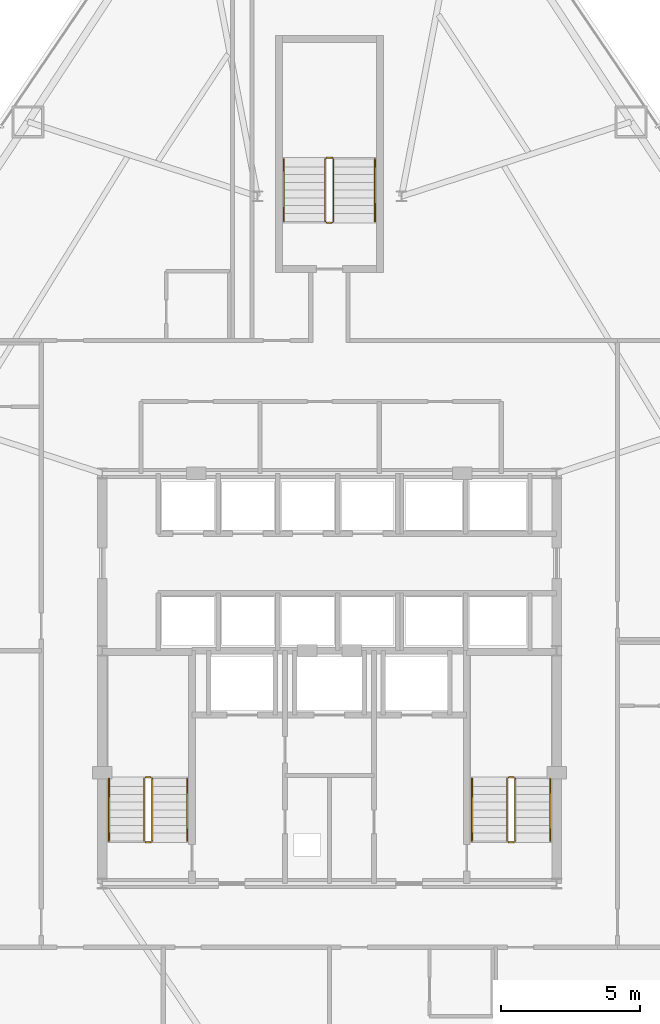
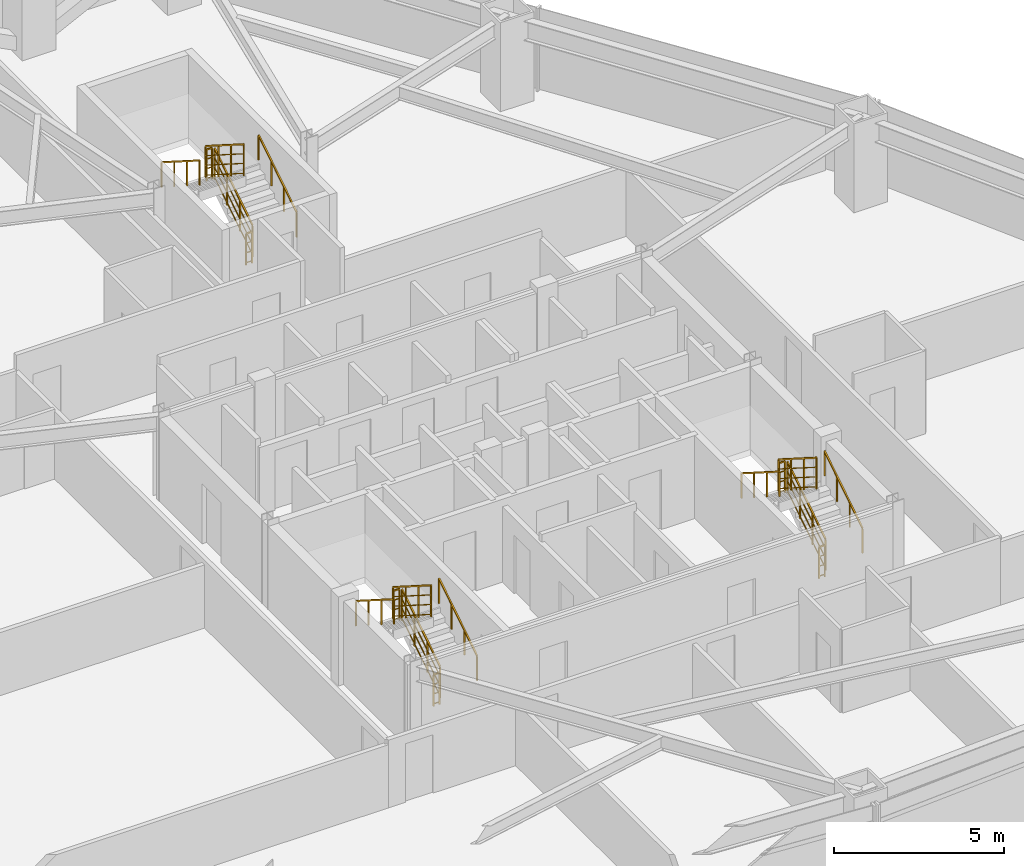
# One storey, part 12 of 12: 18 railings.
"""IFC4 building model written with IfcOpenShell, lengths in metres."""

from ifc_helpers import new_model, si_unit, direction, frame, origin, origin_2d, place, context, subcontext, project, spatial, rectangle, extrude, material, type_object, element, save


model = new_model("IFC4")

# Units and contexts
model_context = context("Model", 3, precision=1e-05, world=origin(), true_north=direction((0.0, 1.0)))
body_context = subcontext(model_context, "Body", "Model", "MODEL_VIEW")
ifc_project = project(units=[si_unit("LENGTHUNIT", "METRE"), si_unit("AREAUNIT", "SQUARE_METRE"), si_unit("VOLUMEUNIT", "CUBIC_METRE"), si_unit("PLANEANGLEUNIT", "RADIAN"), si_unit("MASSUNIT", "GRAM", prefix="KILO")], contexts=[model_context])

# Site, building, storey
site_placement = place(None, origin())
site = spatial("IfcSite", under=ifc_project, at=site_placement, CompositionType="ELEMENT")
building_placement = place(site_placement, origin())
building = spatial("IfcBuilding", under=site, at=building_placement, Name="Varakhsha Concourse Tower", CompositionType="ELEMENT")
storey_placement = place(building_placement, frame((0.0, 0.0, 56.0)))
storey = spatial("IfcBuildingStorey", under=building, at=storey_placement, Name="L15", CompositionType="ELEMENT", Elevation=56.0)

# Railings
ifc_material = material(Name="Brushed Austenitic Stainless Steel AISI 316", Category="steel")
railing_type_1 = type_object("IfcRailingType", Name="RL-STAIR-GUARD-1100", PredefinedType="GUARDRAIL", material=ifc_material)
railing_1_placement = place(storey_placement, frame((33.610107421875, 17.93994140625, 0.177734375)))
element("IfcRailing", 1, at=railing_1_placement, inside=storey, type_object=railing_type_1, Name="L15 ST1 stair guard 1", PredefinedType="GUARDRAIL", context=body_context, shape_type="SweptSolid", body=[
    extrude(rectangle(XDim=0.048095703125, YDim=0.048095703125, at=origin_2d()), frame((0.0, 0.0, 1.1259765625), z_axis=(0.0, 0.84418770128, 0.536047689118), x_axis=(-1.0, 0.0, 0.0)), (0.0, 0.0, 1.0), 2.6533203125),
    extrude(rectangle(XDim=0.028076171875, YDim=0.028076171875, at=origin_2d()), frame((0.0, 0.0, 0.080078125), z_axis=(0.0, 0.84418770128, 0.536047689118), x_axis=(-1.0, 0.0, 0.0)), (0.0, 0.0, 1.0), 2.6533203125),
    extrude(rectangle(XDim=0.028076171875, YDim=0.028076171875, at=origin_2d()), frame((0.0, 0.0, 0.43701171875), z_axis=(0.0, 0.84418770128, 0.536047689118), x_axis=(-1.0, 0.0, 0.0)), (0.0, 0.0, 1.0), 2.6533203125),
    extrude(rectangle(XDim=0.028076171875, YDim=0.028076171875, at=origin_2d()), frame((0.0, 0.0, 0.781982421875), z_axis=(0.0, 0.84418770128, 0.536047689118), x_axis=(-1.0, 0.0, 0.0)), (0.0, 0.0, 1.0), 2.6533203125),
    extrude(rectangle(XDim=0.0419921875, YDim=0.0419921875, at=origin_2d()), origin(), (0.0, 0.0, 1.0), 1.101806640625),
    extrude(rectangle(XDim=0.0419921875, YDim=0.0419921875, at=origin_2d()), frame((0.0, 0.74658203125, 0.47412109375)), (0.0, 0.0, 1.0), 1.101806640625),
    extrude(rectangle(XDim=0.0419921875, YDim=0.0419921875, at=origin_2d()), frame((0.0, 1.493408203125, 0.9482421875)), (0.0, 0.0, 1.0), 1.101806640625),
    extrude(rectangle(XDim=0.0419921875, YDim=0.0419921875, at=origin_2d()), frame((0.0, 2.239990234375, 1.42236328125)), (0.0, 0.0, 1.0), 1.101806640625),
])
railing_2_placement = place(storey_placement, frame((33.56005859375, 20.22998046875, 1.60009765625)))
element("IfcRailing", 2, at=railing_2_placement, inside=storey, type_object=railing_type_1, Name="L15 ST1 stair guard 2", PredefinedType="GUARDRAIL", context=body_context, shape_type="SweptSolid", body=[
    extrude(rectangle(XDim=0.048095703125, YDim=0.048095703125, at=origin_2d()), frame((0.0, 0.0, 1.1259765625), z_axis=(-1.0, 0.0, 0.0), x_axis=(0.0, -1.0, 0.0)), (0.0, 0.0, 1.0), 0.199951171875),
    extrude(rectangle(XDim=0.028076171875, YDim=0.028076171875, at=origin_2d()), frame((0.0, 0.0, 0.080078125), z_axis=(-1.0, 0.0, 0.0), x_axis=(0.0, -1.0, 0.0)), (0.0, 0.0, 1.0), 0.199951171875),
    extrude(rectangle(XDim=0.028076171875, YDim=0.028076171875, at=origin_2d()), frame((0.0, 0.0, 0.43701171875), z_axis=(-1.0, 0.0, 0.0), x_axis=(0.0, -1.0, 0.0)), (0.0, 0.0, 1.0), 0.199951171875),
    extrude(rectangle(XDim=0.028076171875, YDim=0.028076171875, at=origin_2d()), frame((0.0, 0.0, 0.781982421875), z_axis=(-1.0, 0.0, 0.0), x_axis=(0.0, -1.0, 0.0)), (0.0, 0.0, 1.0), 0.199951171875),
    extrude(rectangle(XDim=0.0419921875, YDim=0.0419921875, at=origin_2d()), origin(), (0.0, 0.0, 1.0), 1.101806640625),
    extrude(rectangle(XDim=0.0419921875, YDim=0.0419921875, at=origin_2d()), frame((-0.199951171875, 0.0, 0.0)), (0.0, 0.0, 1.0), 1.101806640625),
])
railing_3_placement = place(storey_placement, frame((33.31005859375, 20.179931640625, 1.77783203125)))
element("IfcRailing", 3, at=railing_3_placement, inside=storey, type_object=railing_type_1, Name="L15 ST1 stair guard 3", PredefinedType="GUARDRAIL", context=body_context, shape_type="SweptSolid", body=[
    extrude(rectangle(XDim=0.048095703125, YDim=0.048095703125, at=origin_2d()), frame((0.0, 0.0, 1.1259765625), z_axis=(0.0, -0.8442293374, 0.53598211339), x_axis=(1.0, 0.0, 0.0)), (0.0, 0.0, 1.0), 2.6533203125),
    extrude(rectangle(XDim=0.028076171875, YDim=0.028076171875, at=origin_2d()), frame((0.0, 0.0, 0.080078125), z_axis=(0.0, -0.8442293374, 0.53598211339), x_axis=(1.0, 0.0, 0.0)), (0.0, 0.0, 1.0), 2.6533203125),
    extrude(rectangle(XDim=0.028076171875, YDim=0.028076171875, at=origin_2d()), frame((0.0, 0.0, 0.43701171875), z_axis=(0.0, -0.8442293374, 0.53598211339), x_axis=(1.0, 0.0, 0.0)), (0.0, 0.0, 1.0), 2.6533203125),
    extrude(rectangle(XDim=0.028076171875, YDim=0.028076171875, at=origin_2d()), frame((0.0, 0.0, 0.781982421875), z_axis=(0.0, -0.8442293374, 0.53598211339), x_axis=(1.0, 0.0, 0.0)), (0.0, 0.0, 1.0), 2.6533203125),
    extrude(rectangle(XDim=0.0419921875, YDim=0.0419921875, at=origin_2d()), origin(), (0.0, 0.0, 1.0), 1.101806640625),
    extrude(rectangle(XDim=0.0419921875, YDim=0.0419921875, at=origin_2d()), frame((0.0, -0.74658203125, 0.47412109375)), (0.0, 0.0, 1.0), 1.101806640625),
    extrude(rectangle(XDim=0.0419921875, YDim=0.0419921875, at=origin_2d()), frame((0.0, -1.493408203125, 0.947998046875)), (0.0, 0.0, 1.0), 1.101806640625),
    extrude(rectangle(XDim=0.0419921875, YDim=0.0419921875, at=origin_2d()), frame((0.0, -2.239990234375, 1.422119140625)), (0.0, 0.0, 1.0), 1.101806640625),
])
railing_4_placement = place(storey_placement, frame((33.56005859375, 17.889892578125, 0.0)))
element("IfcRailing", 4, at=railing_4_placement, inside=storey, type_object=railing_type_1, Name="L15 ST1 stair guard 4", PredefinedType="GUARDRAIL", context=body_context, shape_type="SweptSolid", body=[
    extrude(rectangle(XDim=0.048095703125, YDim=0.048095703125, at=origin_2d()), frame((0.0, 0.0, 1.1259765625), z_axis=(-1.0, 0.0, 0.0), x_axis=(0.0, -1.0, 0.0)), (0.0, 0.0, 1.0), 0.199951171875),
    extrude(rectangle(XDim=0.028076171875, YDim=0.028076171875, at=origin_2d()), frame((0.0, 0.0, 0.080078125), z_axis=(-1.0, 0.0, 0.0), x_axis=(0.0, -1.0, 0.0)), (0.0, 0.0, 1.0), 0.199951171875),
    extrude(rectangle(XDim=0.028076171875, YDim=0.028076171875, at=origin_2d()), frame((0.0, 0.0, 0.43701171875), z_axis=(-1.0, 0.0, 0.0), x_axis=(0.0, -1.0, 0.0)), (0.0, 0.0, 1.0), 0.199951171875),
    extrude(rectangle(XDim=0.028076171875, YDim=0.028076171875, at=origin_2d()), frame((0.0, 0.0, 0.781982421875), z_axis=(-1.0, 0.0, 0.0), x_axis=(0.0, -1.0, 0.0)), (0.0, 0.0, 1.0), 0.199951171875),
    extrude(rectangle(XDim=0.0419921875, YDim=0.0419921875, at=origin_2d()), origin(), (0.0, 0.0, 1.0), 1.101806640625),
    extrude(rectangle(XDim=0.0419921875, YDim=0.0419921875, at=origin_2d()), frame((-0.199951171875, 0.0, 0.0)), (0.0, 0.0, 1.0), 1.101806640625),
])
railing_5_placement = place(storey_placement, frame((46.7099609375, 17.93994140625, 0.177734375)))
element("IfcRailing", 5, at=railing_5_placement, inside=storey, type_object=railing_type_1, Name="L15 ST2 stair guard 1", PredefinedType="GUARDRAIL", context=body_context, shape_type="SweptSolid", body=[
    extrude(rectangle(XDim=0.048095703125, YDim=0.048095703125, at=origin_2d()), frame((0.0, 0.0, 1.1259765625), z_axis=(0.0, 0.84418770128, 0.536047689118), x_axis=(-1.0, 0.0, 0.0)), (0.0, 0.0, 1.0), 2.6533203125),
    extrude(rectangle(XDim=0.028076171875, YDim=0.028076171875, at=origin_2d()), frame((0.0, 0.0, 0.080078125), z_axis=(0.0, 0.84418770128, 0.536047689118), x_axis=(-1.0, 0.0, 0.0)), (0.0, 0.0, 1.0), 2.6533203125),
    extrude(rectangle(XDim=0.028076171875, YDim=0.028076171875, at=origin_2d()), frame((0.0, 0.0, 0.43701171875), z_axis=(0.0, 0.84418770128, 0.536047689118), x_axis=(-1.0, 0.0, 0.0)), (0.0, 0.0, 1.0), 2.6533203125),
    extrude(rectangle(XDim=0.028076171875, YDim=0.028076171875, at=origin_2d()), frame((0.0, 0.0, 0.781982421875), z_axis=(0.0, 0.84418770128, 0.536047689118), x_axis=(-1.0, 0.0, 0.0)), (0.0, 0.0, 1.0), 2.6533203125),
    extrude(rectangle(XDim=0.0419921875, YDim=0.0419921875, at=origin_2d()), origin(), (0.0, 0.0, 1.0), 1.101806640625),
    extrude(rectangle(XDim=0.0419921875, YDim=0.0419921875, at=origin_2d()), frame((0.0, 0.74658203125, 0.47412109375)), (0.0, 0.0, 1.0), 1.101806640625),
    extrude(rectangle(XDim=0.0419921875, YDim=0.0419921875, at=origin_2d()), frame((0.0, 1.493408203125, 0.9482421875)), (0.0, 0.0, 1.0), 1.101806640625),
    extrude(rectangle(XDim=0.0419921875, YDim=0.0419921875, at=origin_2d()), frame((0.0, 2.239990234375, 1.42236328125)), (0.0, 0.0, 1.0), 1.101806640625),
])
railing_6_placement = place(storey_placement, frame((46.659912109375, 20.22998046875, 1.60009765625)))
element("IfcRailing", 6, at=railing_6_placement, inside=storey, type_object=railing_type_1, Name="L15 ST2 stair guard 2", PredefinedType="GUARDRAIL", context=body_context, shape_type="SweptSolid", body=[
    extrude(rectangle(XDim=0.048095703125, YDim=0.048095703125, at=origin_2d()), frame((0.0, 0.0, 1.1259765625), z_axis=(-1.0, 0.0, 0.0), x_axis=(0.0, -1.0, 0.0)), (0.0, 0.0, 1.0), 0.199951171875),
    extrude(rectangle(XDim=0.028076171875, YDim=0.028076171875, at=origin_2d()), frame((0.0, 0.0, 0.080078125), z_axis=(-1.0, 0.0, 0.0), x_axis=(0.0, -1.0, 0.0)), (0.0, 0.0, 1.0), 0.199951171875),
    extrude(rectangle(XDim=0.028076171875, YDim=0.028076171875, at=origin_2d()), frame((0.0, 0.0, 0.43701171875), z_axis=(-1.0, 0.0, 0.0), x_axis=(0.0, -1.0, 0.0)), (0.0, 0.0, 1.0), 0.199951171875),
    extrude(rectangle(XDim=0.028076171875, YDim=0.028076171875, at=origin_2d()), frame((0.0, 0.0, 0.781982421875), z_axis=(-1.0, 0.0, 0.0), x_axis=(0.0, -1.0, 0.0)), (0.0, 0.0, 1.0), 0.199951171875),
    extrude(rectangle(XDim=0.0419921875, YDim=0.0419921875, at=origin_2d()), origin(), (0.0, 0.0, 1.0), 1.101806640625),
    extrude(rectangle(XDim=0.0419921875, YDim=0.0419921875, at=origin_2d()), frame((-0.199951171875, 0.0, 0.0)), (0.0, 0.0, 1.0), 1.101806640625),
])
railing_7_placement = place(storey_placement, frame((46.409912109375, 20.179931640625, 1.77783203125)))
element("IfcRailing", 7, at=railing_7_placement, inside=storey, type_object=railing_type_1, Name="L15 ST2 stair guard 3", PredefinedType="GUARDRAIL", context=body_context, shape_type="SweptSolid", body=[
    extrude(rectangle(XDim=0.048095703125, YDim=0.048095703125, at=origin_2d()), frame((0.0, 0.0, 1.1259765625), z_axis=(0.0, -0.8442293374, 0.53598211339), x_axis=(1.0, 0.0, 0.0)), (0.0, 0.0, 1.0), 2.6533203125),
    extrude(rectangle(XDim=0.028076171875, YDim=0.028076171875, at=origin_2d()), frame((0.0, 0.0, 0.080078125), z_axis=(0.0, -0.8442293374, 0.53598211339), x_axis=(1.0, 0.0, 0.0)), (0.0, 0.0, 1.0), 2.6533203125),
    extrude(rectangle(XDim=0.028076171875, YDim=0.028076171875, at=origin_2d()), frame((0.0, 0.0, 0.43701171875), z_axis=(0.0, -0.8442293374, 0.53598211339), x_axis=(1.0, 0.0, 0.0)), (0.0, 0.0, 1.0), 2.6533203125),
    extrude(rectangle(XDim=0.028076171875, YDim=0.028076171875, at=origin_2d()), frame((0.0, 0.0, 0.781982421875), z_axis=(0.0, -0.8442293374, 0.53598211339), x_axis=(1.0, 0.0, 0.0)), (0.0, 0.0, 1.0), 2.6533203125),
    extrude(rectangle(XDim=0.0419921875, YDim=0.0419921875, at=origin_2d()), origin(), (0.0, 0.0, 1.0), 1.101806640625),
    extrude(rectangle(XDim=0.0419921875, YDim=0.0419921875, at=origin_2d()), frame((0.0, -0.74658203125, 0.47412109375)), (0.0, 0.0, 1.0), 1.101806640625),
    extrude(rectangle(XDim=0.0419921875, YDim=0.0419921875, at=origin_2d()), frame((0.0, -1.493408203125, 0.947998046875)), (0.0, 0.0, 1.0), 1.101806640625),
    extrude(rectangle(XDim=0.0419921875, YDim=0.0419921875, at=origin_2d()), frame((0.0, -2.239990234375, 1.422119140625)), (0.0, 0.0, 1.0), 1.101806640625),
])
railing_8_placement = place(storey_placement, frame((46.659912109375, 17.889892578125, 0.0)))
element("IfcRailing", 8, at=railing_8_placement, inside=storey, type_object=railing_type_1, Name="L15 ST2 stair guard 4", PredefinedType="GUARDRAIL", context=body_context, shape_type="SweptSolid", body=[
    extrude(rectangle(XDim=0.048095703125, YDim=0.048095703125, at=origin_2d()), frame((0.0, 0.0, 1.1259765625), z_axis=(-1.0, 0.0, 0.0), x_axis=(0.0, -1.0, 0.0)), (0.0, 0.0, 1.0), 0.199951171875),
    extrude(rectangle(XDim=0.028076171875, YDim=0.028076171875, at=origin_2d()), frame((0.0, 0.0, 0.080078125), z_axis=(-1.0, 0.0, 0.0), x_axis=(0.0, -1.0, 0.0)), (0.0, 0.0, 1.0), 0.199951171875),
    extrude(rectangle(XDim=0.028076171875, YDim=0.028076171875, at=origin_2d()), frame((0.0, 0.0, 0.43701171875), z_axis=(-1.0, 0.0, 0.0), x_axis=(0.0, -1.0, 0.0)), (0.0, 0.0, 1.0), 0.199951171875),
    extrude(rectangle(XDim=0.028076171875, YDim=0.028076171875, at=origin_2d()), frame((0.0, 0.0, 0.781982421875), z_axis=(-1.0, 0.0, 0.0), x_axis=(0.0, -1.0, 0.0)), (0.0, 0.0, 1.0), 0.199951171875),
    extrude(rectangle(XDim=0.0419921875, YDim=0.0419921875, at=origin_2d()), origin(), (0.0, 0.0, 1.0), 1.101806640625),
    extrude(rectangle(XDim=0.0419921875, YDim=0.0419921875, at=origin_2d()), frame((-0.199951171875, 0.0, 0.0)), (0.0, 0.0, 1.0), 1.101806640625),
])
railing_9_placement = place(storey_placement, frame((40.14990234375, 40.300048828125, 0.177734375)))
element("IfcRailing", 9, at=railing_9_placement, inside=storey, type_object=railing_type_1, Name="L15 ST5 stair guard 1", PredefinedType="GUARDRAIL", context=body_context, shape_type="SweptSolid", body=[
    extrude(rectangle(XDim=0.048095703125, YDim=0.048095703125, at=origin_2d()), frame((0.0, 0.0, 1.1259765625), z_axis=(0.0, 0.84418770128, 0.536047689118), x_axis=(-1.0, 0.0, 0.0)), (0.0, 0.0, 1.0), 2.6533203125),
    extrude(rectangle(XDim=0.028076171875, YDim=0.028076171875, at=origin_2d()), frame((0.0, 0.0, 0.080078125), z_axis=(0.0, 0.84418770128, 0.536047689118), x_axis=(-1.0, 0.0, 0.0)), (0.0, 0.0, 1.0), 2.6533203125),
    extrude(rectangle(XDim=0.028076171875, YDim=0.028076171875, at=origin_2d()), frame((0.0, 0.0, 0.43701171875), z_axis=(0.0, 0.84418770128, 0.536047689118), x_axis=(-1.0, 0.0, 0.0)), (0.0, 0.0, 1.0), 2.6533203125),
    extrude(rectangle(XDim=0.028076171875, YDim=0.028076171875, at=origin_2d()), frame((0.0, 0.0, 0.781982421875), z_axis=(0.0, 0.84418770128, 0.536047689118), x_axis=(-1.0, 0.0, 0.0)), (0.0, 0.0, 1.0), 2.6533203125),
    extrude(rectangle(XDim=0.0419921875, YDim=0.0419921875, at=origin_2d()), origin(), (0.0, 0.0, 1.0), 1.101806640625),
    extrude(rectangle(XDim=0.0419921875, YDim=0.0419921875, at=origin_2d()), frame((0.0, 0.74658203125, 0.47412109375)), (0.0, 0.0, 1.0), 1.101806640625),
    extrude(rectangle(XDim=0.0419921875, YDim=0.0419921875, at=origin_2d()), frame((0.0, 1.493408203125, 0.9482421875)), (0.0, 0.0, 1.0), 1.101806640625),
    extrude(rectangle(XDim=0.0419921875, YDim=0.0419921875, at=origin_2d()), frame((0.0, 2.239990234375, 1.42236328125)), (0.0, 0.0, 1.0), 1.101806640625),
])
railing_10_placement = place(storey_placement, frame((40.10009765625, 42.590087890625, 1.60009765625)))
element("IfcRailing", 10, at=railing_10_placement, inside=storey, type_object=railing_type_1, Name="L15 ST5 stair guard 2", PredefinedType="GUARDRAIL", context=body_context, shape_type="SweptSolid", body=[
    extrude(rectangle(XDim=0.048095703125, YDim=0.048095703125, at=origin_2d()), frame((0.0, 0.0, 1.1259765625), z_axis=(-1.0, 0.0, 0.0), x_axis=(0.0, -1.0, 0.0)), (0.0, 0.0, 1.0), 0.2001953125),
    extrude(rectangle(XDim=0.028076171875, YDim=0.028076171875, at=origin_2d()), frame((0.0, 0.0, 0.080078125), z_axis=(-1.0, 0.0, 0.0), x_axis=(0.0, -1.0, 0.0)), (0.0, 0.0, 1.0), 0.2001953125),
    extrude(rectangle(XDim=0.028076171875, YDim=0.028076171875, at=origin_2d()), frame((0.0, 0.0, 0.43701171875), z_axis=(-1.0, 0.0, 0.0), x_axis=(0.0, -1.0, 0.0)), (0.0, 0.0, 1.0), 0.2001953125),
    extrude(rectangle(XDim=0.028076171875, YDim=0.028076171875, at=origin_2d()), frame((0.0, 0.0, 0.781982421875), z_axis=(-1.0, 0.0, 0.0), x_axis=(0.0, -1.0, 0.0)), (0.0, 0.0, 1.0), 0.2001953125),
    extrude(rectangle(XDim=0.0419921875, YDim=0.0419921875, at=origin_2d()), origin(), (0.0, 0.0, 1.0), 1.101806640625),
    extrude(rectangle(XDim=0.0419921875, YDim=0.0419921875, at=origin_2d()), frame((-0.2001953125, 0.0, 0.0)), (0.0, 0.0, 1.0), 1.101806640625),
])
railing_11_placement = place(storey_placement, frame((39.85009765625, 42.5400390625, 1.77783203125)))
element("IfcRailing", 11, at=railing_11_placement, inside=storey, type_object=railing_type_1, Name="L15 ST5 stair guard 3", PredefinedType="GUARDRAIL", context=body_context, shape_type="SweptSolid", body=[
    extrude(rectangle(XDim=0.048095703125, YDim=0.048095703125, at=origin_2d()), frame((0.0, 0.0, 1.1259765625), z_axis=(0.0, -0.8442293374, 0.53598211339), x_axis=(1.0, 0.0, 0.0)), (0.0, 0.0, 1.0), 2.6533203125),
    extrude(rectangle(XDim=0.028076171875, YDim=0.028076171875, at=origin_2d()), frame((0.0, 0.0, 0.080078125), z_axis=(0.0, -0.8442293374, 0.53598211339), x_axis=(1.0, 0.0, 0.0)), (0.0, 0.0, 1.0), 2.6533203125),
    extrude(rectangle(XDim=0.028076171875, YDim=0.028076171875, at=origin_2d()), frame((0.0, 0.0, 0.43701171875), z_axis=(0.0, -0.8442293374, 0.53598211339), x_axis=(1.0, 0.0, 0.0)), (0.0, 0.0, 1.0), 2.6533203125),
    extrude(rectangle(XDim=0.028076171875, YDim=0.028076171875, at=origin_2d()), frame((0.0, 0.0, 0.781982421875), z_axis=(0.0, -0.8442293374, 0.53598211339), x_axis=(1.0, 0.0, 0.0)), (0.0, 0.0, 1.0), 2.6533203125),
    extrude(rectangle(XDim=0.0419921875, YDim=0.0419921875, at=origin_2d()), origin(), (0.0, 0.0, 1.0), 1.101806640625),
    extrude(rectangle(XDim=0.0419921875, YDim=0.0419921875, at=origin_2d()), frame((0.0, -0.74658203125, 0.47412109375)), (0.0, 0.0, 1.0), 1.101806640625),
    extrude(rectangle(XDim=0.0419921875, YDim=0.0419921875, at=origin_2d()), frame((0.0, -1.493408203125, 0.947998046875)), (0.0, 0.0, 1.0), 1.101806640625),
    extrude(rectangle(XDim=0.0419921875, YDim=0.0419921875, at=origin_2d()), frame((0.0, -2.239990234375, 1.422119140625)), (0.0, 0.0, 1.0), 1.101806640625),
])
railing_12_placement = place(storey_placement, frame((40.10009765625, 40.25, 0.0)))
element("IfcRailing", 12, at=railing_12_placement, inside=storey, type_object=railing_type_1, Name="L15 ST5 stair guard 4", PredefinedType="GUARDRAIL", context=body_context, shape_type="SweptSolid", body=[
    extrude(rectangle(XDim=0.048095703125, YDim=0.048095703125, at=origin_2d()), frame((0.0, 0.0, 1.1259765625), z_axis=(-1.0, 0.0, 0.0), x_axis=(0.0, -1.0, 0.0)), (0.0, 0.0, 1.0), 0.2001953125),
    extrude(rectangle(XDim=0.028076171875, YDim=0.028076171875, at=origin_2d()), frame((0.0, 0.0, 0.080078125), z_axis=(-1.0, 0.0, 0.0), x_axis=(0.0, -1.0, 0.0)), (0.0, 0.0, 1.0), 0.2001953125),
    extrude(rectangle(XDim=0.028076171875, YDim=0.028076171875, at=origin_2d()), frame((0.0, 0.0, 0.43701171875), z_axis=(-1.0, 0.0, 0.0), x_axis=(0.0, -1.0, 0.0)), (0.0, 0.0, 1.0), 0.2001953125),
    extrude(rectangle(XDim=0.028076171875, YDim=0.028076171875, at=origin_2d()), frame((0.0, 0.0, 0.781982421875), z_axis=(-1.0, 0.0, 0.0), x_axis=(0.0, -1.0, 0.0)), (0.0, 0.0, 1.0), 0.2001953125),
    extrude(rectangle(XDim=0.0419921875, YDim=0.0419921875, at=origin_2d()), origin(), (0.0, 0.0, 1.0), 1.101806640625),
    extrude(rectangle(XDim=0.0419921875, YDim=0.0419921875, at=origin_2d()), frame((-0.2001953125, 0.0, 0.0)), (0.0, 0.0, 1.0), 1.101806640625),
])
railing_type_2 = type_object("IfcRailingType", Name="RL-STAIR-RAIL-915", PredefinedType="HANDRAIL", material=ifc_material)
railing_13_placement = place(storey_placement, frame((34.8701171875, 17.93994140625, 0.35546875)))
element("IfcRailing", 13, at=railing_13_placement, inside=storey, type_object=railing_type_2, Name="L15 ST1 stair handrail 1", PredefinedType="HANDRAIL", context=body_context, shape_type="SweptSolid", body=[
    extrude(rectangle(XDim=0.048095703125, YDim=0.048095703125, at=origin_2d()), frame((0.0, 0.0, 0.89111328125), z_axis=(0.0, 0.84418770128, 0.536047689118), x_axis=(-1.0, 0.0, 0.0)), (0.0, 0.0, 1.0), 2.6533203125),
    extrude(rectangle(XDim=0.0419921875, YDim=0.0419921875, at=origin_2d()), origin(), (0.0, 0.0, 1.0), 0.866943359375),
    extrude(rectangle(XDim=0.0419921875, YDim=0.0419921875, at=origin_2d()), frame((0.0, 0.74658203125, 0.47412109375)), (0.0, 0.0, 1.0), 0.866943359375),
    extrude(rectangle(XDim=0.0419921875, YDim=0.0419921875, at=origin_2d()), frame((0.0, 1.493408203125, 0.9482421875)), (0.0, 0.0, 1.0), 0.866943359375),
    extrude(rectangle(XDim=0.0419921875, YDim=0.0419921875, at=origin_2d()), frame((0.0, 2.239990234375, 1.42236328125)), (0.0, 0.0, 1.0), 0.866943359375),
])
railing_14_placement = place(storey_placement, frame((32.050048828125, 20.179931640625, 1.95556640625)))
element("IfcRailing", 14, at=railing_14_placement, inside=storey, type_object=railing_type_2, Name="L15 ST1 stair handrail 2", PredefinedType="HANDRAIL", context=body_context, shape_type="SweptSolid", body=[
    extrude(rectangle(XDim=0.048095703125, YDim=0.048095703125, at=origin_2d()), frame((0.0, 0.0, 0.89111328125), z_axis=(0.0, -0.8442293374, 0.53598211339), x_axis=(1.0, 0.0, 0.0)), (0.0, 0.0, 1.0), 2.6533203125),
    extrude(rectangle(XDim=0.0419921875, YDim=0.0419921875, at=origin_2d()), origin(), (0.0, 0.0, 1.0), 0.866943359375),
    extrude(rectangle(XDim=0.0419921875, YDim=0.0419921875, at=origin_2d()), frame((0.0, -0.74658203125, 0.47412109375)), (0.0, 0.0, 1.0), 0.866943359375),
    extrude(rectangle(XDim=0.0419921875, YDim=0.0419921875, at=origin_2d()), frame((0.0, -1.493408203125, 0.947998046875)), (0.0, 0.0, 1.0), 0.866943359375),
    extrude(rectangle(XDim=0.0419921875, YDim=0.0419921875, at=origin_2d()), frame((0.0, -2.239990234375, 1.422119140625)), (0.0, 0.0, 1.0), 0.866943359375),
])
railing_15_placement = place(storey_placement, frame((47.969970703125, 17.93994140625, 0.35546875)))
element("IfcRailing", 15, at=railing_15_placement, inside=storey, type_object=railing_type_2, Name="L15 ST2 stair handrail 1", PredefinedType="HANDRAIL", context=body_context, shape_type="SweptSolid", body=[
    extrude(rectangle(XDim=0.048095703125, YDim=0.048095703125, at=origin_2d()), frame((0.0, 0.0, 0.89111328125), z_axis=(0.0, 0.84418770128, 0.536047689118), x_axis=(-1.0, 0.0, 0.0)), (0.0, 0.0, 1.0), 2.6533203125),
    extrude(rectangle(XDim=0.0419921875, YDim=0.0419921875, at=origin_2d()), origin(), (0.0, 0.0, 1.0), 0.866943359375),
    extrude(rectangle(XDim=0.0419921875, YDim=0.0419921875, at=origin_2d()), frame((0.0, 0.74658203125, 0.47412109375)), (0.0, 0.0, 1.0), 0.866943359375),
    extrude(rectangle(XDim=0.0419921875, YDim=0.0419921875, at=origin_2d()), frame((0.0, 1.493408203125, 0.9482421875)), (0.0, 0.0, 1.0), 0.866943359375),
    extrude(rectangle(XDim=0.0419921875, YDim=0.0419921875, at=origin_2d()), frame((0.0, 2.239990234375, 1.42236328125)), (0.0, 0.0, 1.0), 0.866943359375),
])
railing_16_placement = place(storey_placement, frame((45.14990234375, 20.179931640625, 1.95556640625)))
element("IfcRailing", 16, at=railing_16_placement, inside=storey, type_object=railing_type_2, Name="L15 ST2 stair handrail 2", PredefinedType="HANDRAIL", context=body_context, shape_type="SweptSolid", body=[
    extrude(rectangle(XDim=0.048095703125, YDim=0.048095703125, at=origin_2d()), frame((0.0, 0.0, 0.89111328125), z_axis=(0.0, -0.8442293374, 0.53598211339), x_axis=(1.0, 0.0, 0.0)), (0.0, 0.0, 1.0), 2.6533203125),
    extrude(rectangle(XDim=0.0419921875, YDim=0.0419921875, at=origin_2d()), origin(), (0.0, 0.0, 1.0), 0.866943359375),
    extrude(rectangle(XDim=0.0419921875, YDim=0.0419921875, at=origin_2d()), frame((0.0, -0.74658203125, 0.47412109375)), (0.0, 0.0, 1.0), 0.866943359375),
    extrude(rectangle(XDim=0.0419921875, YDim=0.0419921875, at=origin_2d()), frame((0.0, -1.493408203125, 0.947998046875)), (0.0, 0.0, 1.0), 0.866943359375),
    extrude(rectangle(XDim=0.0419921875, YDim=0.0419921875, at=origin_2d()), frame((0.0, -2.239990234375, 1.422119140625)), (0.0, 0.0, 1.0), 0.866943359375),
])
railing_17_placement = place(storey_placement, frame((41.64990234375, 40.300048828125, 0.35546875)))
element("IfcRailing", 17, at=railing_17_placement, inside=storey, type_object=railing_type_2, Name="L15 ST5 stair handrail 1", PredefinedType="HANDRAIL", context=body_context, shape_type="SweptSolid", body=[
    extrude(rectangle(XDim=0.048095703125, YDim=0.048095703125, at=origin_2d()), frame((0.0, 0.0, 0.89111328125), z_axis=(0.0, 0.84418770128, 0.536047689118), x_axis=(-1.0, 0.0, 0.0)), (0.0, 0.0, 1.0), 2.6533203125),
    extrude(rectangle(XDim=0.0419921875, YDim=0.0419921875, at=origin_2d()), origin(), (0.0, 0.0, 1.0), 0.866943359375),
    extrude(rectangle(XDim=0.0419921875, YDim=0.0419921875, at=origin_2d()), frame((0.0, 0.74658203125, 0.47412109375)), (0.0, 0.0, 1.0), 0.866943359375),
    extrude(rectangle(XDim=0.0419921875, YDim=0.0419921875, at=origin_2d()), frame((0.0, 1.493408203125, 0.9482421875)), (0.0, 0.0, 1.0), 0.866943359375),
    extrude(rectangle(XDim=0.0419921875, YDim=0.0419921875, at=origin_2d()), frame((0.0, 2.239990234375, 1.42236328125)), (0.0, 0.0, 1.0), 0.866943359375),
])
railing_18_placement = place(storey_placement, frame((38.35009765625, 42.5400390625, 1.95556640625)))
element("IfcRailing", 18, at=railing_18_placement, inside=storey, type_object=railing_type_2, Name="L15 ST5 stair handrail 2", PredefinedType="HANDRAIL", context=body_context, shape_type="SweptSolid", body=[
    extrude(rectangle(XDim=0.048095703125, YDim=0.048095703125, at=origin_2d()), frame((0.0, 0.0, 0.89111328125), z_axis=(0.0, -0.8442293374, 0.53598211339), x_axis=(1.0, 0.0, 0.0)), (0.0, 0.0, 1.0), 2.6533203125),
    extrude(rectangle(XDim=0.0419921875, YDim=0.0419921875, at=origin_2d()), origin(), (0.0, 0.0, 1.0), 0.866943359375),
    extrude(rectangle(XDim=0.0419921875, YDim=0.0419921875, at=origin_2d()), frame((0.0, -0.74658203125, 0.47412109375)), (0.0, 0.0, 1.0), 0.866943359375),
    extrude(rectangle(XDim=0.0419921875, YDim=0.0419921875, at=origin_2d()), frame((0.0, -1.493408203125, 0.947998046875)), (0.0, 0.0, 1.0), 0.866943359375),
    extrude(rectangle(XDim=0.0419921875, YDim=0.0419921875, at=origin_2d()), frame((0.0, -2.239990234375, 1.422119140625)), (0.0, 0.0, 1.0), 0.866943359375),
])

save(model, "model.ifc")
